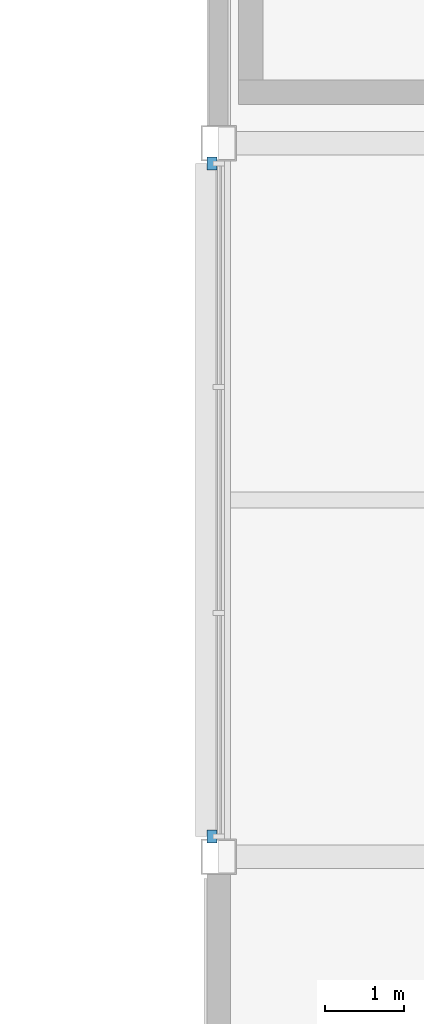
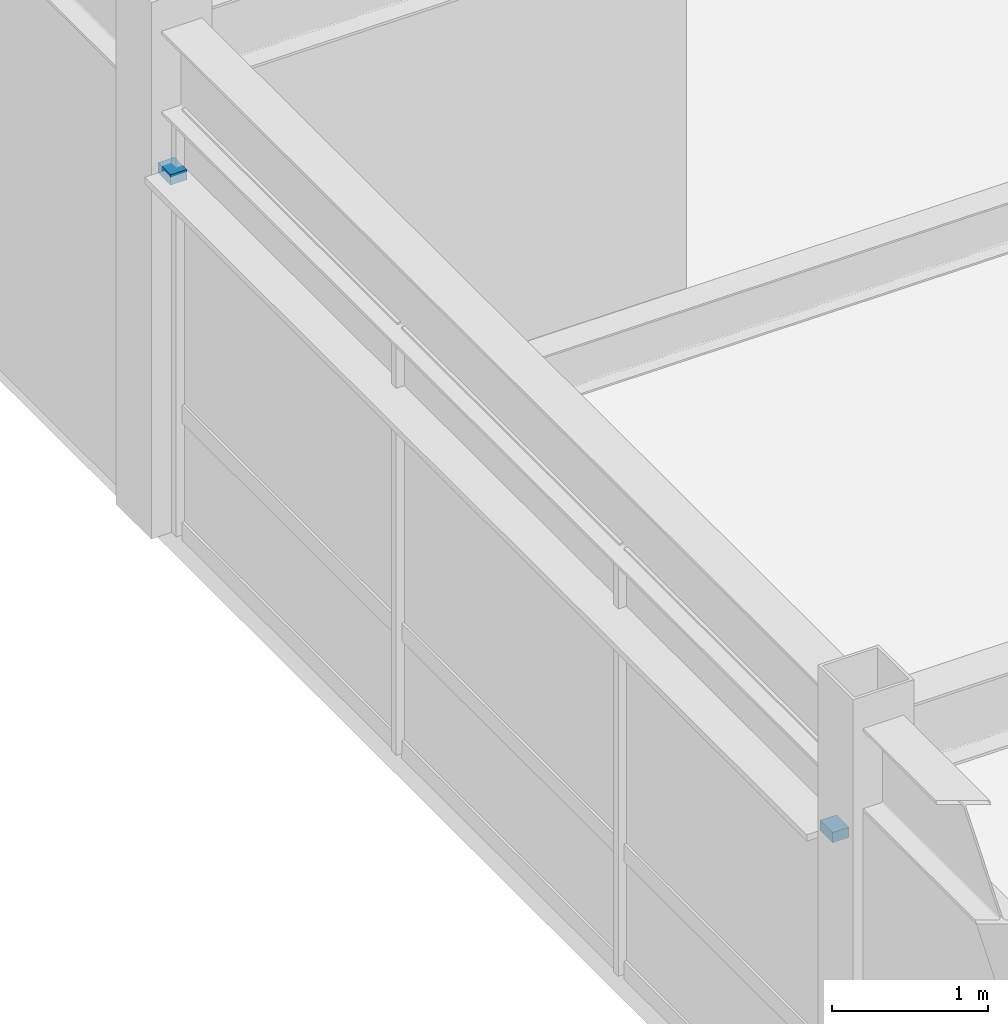
# One storey, part 92 of 108: 2 discrete accessories.
"""IFC4 building model written with IfcOpenShell, lengths in metres."""

import ifcopenshell
import ifcopenshell.guid

model = None  # the IFC model being written
_history = None  # IfcOwnerHistory: only IFC2X3 demands one
_inside = {}  # id of a spatial element -> (the spatial element, [elements in it])
_under = {}  # id of a project, library or spatial element -> (it, [spatial elements below it])
_declared = {}  # id of a project -> (the project, [libraries it declares])
_typed = {}  # id of a type object -> (the type object, [elements of that type])
_made_of = {}  # id of a material, layer set ... -> (it, [elements and type objects made of it])


def new_model(schema):
    """Start an empty IFC model of exactly this schema.

    Asked for "IFC4X3", IfcOpenShell would pick the latest addendum, in which some entities
    have other attributes; the version numbers below select the first issue.
    IFC2X3 requires an IfcOwnerHistory on every rooted entity: one is made here for all.
    """
    global model, _history
    if schema == "IFC4X3":
        model = ifcopenshell.file(schema_version=(4, 3, 0, 0))
    else:
        model = ifcopenshell.file(schema=schema)
    _inside.clear()
    _under.clear()
    _declared.clear()
    _typed.clear()
    _made_of.clear()
    _history = None
    if model.schema == "IFC2X3":
        org = make("IfcOrganization", Name="unknown")
        user = make(
            "IfcPersonAndOrganization",
            ThePerson=make("IfcPerson", FamilyName="unknown"),
            TheOrganization=org,
        )
        app = make(
            "IfcApplication",
            ApplicationDeveloper=org,
            Version="unknown",
            ApplicationFullName="unknown",
            ApplicationIdentifier="unknown",
        )
        _history = make(
            "IfcOwnerHistory",
            OwningUser=user,
            OwningApplication=app,
            ChangeAction="ADDED",
            CreationDate=0,
        )
    return model


def make(cls, **values):
    """One entity of the class cls with the attributes given. An attribute that is None is left unset."""
    return model.create_entity(
        cls, **{name: value for name, value in values.items() if value is not None}
    )


def rooted(cls, **values):
    """An entity with a GlobalId (a new one), such as an element, a storey or a relation."""
    return make(cls, GlobalId=ifcopenshell.guid.new(), OwnerHistory=_history, **values)


def si_unit(unit_type, name, prefix=None):
    """IfcSIUnit, for example si_unit("LENGTHUNIT", "METRE", prefix="MILLI")."""
    return make("IfcSIUnit", UnitType=unit_type, Prefix=prefix, Name=name)


def assignment(units):
    """IfcUnitAssignment: the units of a project."""
    return None if units is None else make("IfcUnitAssignment", Units=units)


def point(xyz):
    """IfcCartesianPoint."""
    return None if xyz is None else make("IfcCartesianPoint", Coordinates=xyz)


def direction(xyz):
    """IfcDirection."""
    return None if xyz is None else make("IfcDirection", DirectionRatios=xyz)


def frame(location, z_axis=None, x_axis=None):
    """IfcAxis2Placement3D, a coordinate frame: its origin and axes. An axis left out is left unset."""
    return make(
        "IfcAxis2Placement3D",
        Location=point(location),
        Axis=direction(z_axis),
        RefDirection=direction(x_axis),
    )


def frame_2d(location, x_axis=None):
    """IfcAxis2Placement2D, a coordinate frame in the plane: its origin and x axis."""
    return make(
        "IfcAxis2Placement2D", Location=point(location), RefDirection=direction(x_axis)
    )


def origin():
    """The frame at (0, 0, 0) with its axes left unset."""
    return frame((0.0, 0.0, 0.0))


def origin_2d():
    """The frame at (0, 0) in the plane with its x axis left unset."""
    return frame_2d((0.0, 0.0))


def place(relative_to, where):
    """IfcLocalPlacement: puts the frame where relative to a parent placement (None: the world)."""
    return make(
        "IfcLocalPlacement", PlacementRelTo=relative_to, RelativePlacement=where
    )


def context(
    kind, dimensions, precision=None, world=None, true_north=None, identifier=None
):
    """IfcGeometricRepresentationContext, for example the 3D "Model" context."""
    return make(
        "IfcGeometricRepresentationContext",
        ContextIdentifier=identifier,
        ContextType=kind,
        CoordinateSpaceDimension=dimensions,
        Precision=precision,
        WorldCoordinateSystem=world,
        TrueNorth=true_north,
    )


def subcontext(parent, identifier, kind, view, scale=None):
    """IfcGeometricRepresentationSubContext, for example "Body" below "Model"."""
    return make(
        "IfcGeometricRepresentationSubContext",
        ContextIdentifier=identifier,
        ContextType=kind,
        ParentContext=parent,
        TargetScale=scale,
        TargetView=view,
    )


def project(units=None, contexts=None):
    """IfcProject with its units and contexts."""
    return rooted(
        "IfcProject",
        Name="project",
        RepresentationContexts=contexts,
        UnitsInContext=assignment(units),
    )


def spatial(cls, under=None, at=None, **own):
    """A site, building, storey or space (cls), placed at a placement, below another one or the project."""
    s = rooted(cls, ObjectPlacement=at, **own)
    if under is not None:
        _under.setdefault(under.id(), (under, []))[1].append(s)
    return s


def profile(cls, at=None, kind="AREA", **sizes):
    """A parametric profile (cls). Its sizes go by their IFC names, for example OverallWidth=200.0."""
    return make(cls, ProfileType=kind, Position=at, **sizes)


def rectangle(**sizes):
    """IfcRectangleProfileDef."""
    return profile("IfcRectangleProfileDef", **sizes)


def extrude(swept, where, along, depth):
    """IfcExtrudedAreaSolid: the profile swept, set in the frame where, extruded along a direction by depth."""
    return make(
        "IfcExtrudedAreaSolid",
        SweptArea=swept,
        Position=where,
        ExtrudedDirection=direction(along),
        Depth=depth,
    )


def shape(context_of_items, identifier, shape_type, items):
    """IfcShapeRepresentation: the items that make up one representation, for example the "Body"."""
    return make(
        "IfcShapeRepresentation",
        ContextOfItems=context_of_items,
        RepresentationIdentifier=identifier,
        RepresentationType=shape_type,
        Items=items,
    )


def material(Name=None, Category=None):
    """IfcMaterial."""
    return make("IfcMaterial", Name=Name, Category=Category)


def made_of(thing, what):
    """Note that an element or type object is made of a material, layer set ...; save() writes the relation."""
    if what is not None:
        _made_of.setdefault(what.id(), (what, []))[1].append(thing)
    return thing


def type_object(cls, material=None, **own):
    """A type object (cls), such as IfcWallType, which elements share."""
    return made_of(rooted(cls, **own), material)


def element(
    cls,
    number,
    at=None,
    inside=None,
    cuts=None,
    type_object=None,
    material=None,
    context=None,
    identifier="Body",
    shape_type=None,
    held_by="IfcProductDefinitionShape",
    body=None,
    shapes=None,
    **own,
):
    """One element of the class cls, such as IfcWall. Its Tag is "e" and its number.

    at: its placement. inside: the storey or other place that contains it. cuts: it is an
    opening in that element (IfcRelVoidsElement). A single representation is given by context,
    identifier, shape_type and body (its items); several are given by shapes. held_by: the class
    of the entity that holds the representations. save() writes the other relations.
    """
    e = rooted(cls, Tag="e%d" % number, ObjectPlacement=at, **own)
    if body is not None:
        shapes = [shape(context, identifier, shape_type, body)]
    if shapes is not None:
        e.Representation = make(held_by, Representations=shapes)
    if inside is not None:
        _inside.setdefault(inside.id(), (inside, []))[1].append(e)
    if cuts is not None:
        rooted(
            "IfcRelVoidsElement", RelatingBuildingElement=cuts, RelatedOpeningElement=e
        )
    if type_object is not None:
        _typed.setdefault(type_object.id(), (type_object, []))[1].append(e)
    return made_of(e, material)


def aggregate(whole, parts):
    """IfcRelAggregates: a whole, such as a stair, and the parts it consists of."""
    return rooted("IfcRelAggregates", RelatingObject=whole, RelatedObjects=parts)


def save(model, path):
    """Write the relations noted so far, then the file.

    IfcRelAggregates (storeys below a building ...), IfcRelContainedInSpatialStructure (elements
    in a storey), IfcRelDefinesByType, IfcRelAssociatesMaterial and IfcRelDeclares: one each for
    every whole, place, type object, material and project.
    """
    for whole, parts in _under.values():
        aggregate(whole, parts)
    for where, things in _inside.values():
        rooted(
            "IfcRelContainedInSpatialStructure",
            RelatedElements=things,
            RelatingStructure=where,
        )
    for kind, things in _typed.values():
        rooted("IfcRelDefinesByType", RelatedObjects=things, RelatingType=kind)
    for what, things in _made_of.values():
        rooted("IfcRelAssociatesMaterial", RelatedObjects=things, RelatingMaterial=what)
    for by, libraries in _declared.values():
        rooted("IfcRelDeclares", RelatingContext=by, RelatedDefinitions=libraries)
    model.write(path)


model = new_model("IFC4")

# Units and contexts
model_context = context("Model", 3, precision=1e-05, world=origin(), true_north=direction((0.0, 1.0)))
body_context = subcontext(model_context, "Body", "Model", "MODEL_VIEW")
ifc_project = project(units=[si_unit("LENGTHUNIT", "METRE"), si_unit("AREAUNIT", "SQUARE_METRE"), si_unit("VOLUMEUNIT", "CUBIC_METRE"), si_unit("PLANEANGLEUNIT", "RADIAN"), si_unit("MASSUNIT", "GRAM", prefix="KILO")], contexts=[model_context])

# Site, building, storey
site_placement = place(None, origin())
site = spatial("IfcSite", under=ifc_project, at=site_placement, CompositionType="ELEMENT")
building_placement = place(site_placement, origin())
building = spatial("IfcBuilding", under=site, at=building_placement, Name="Suzunagisa Mobility Hub", CompositionType="ELEMENT")
storey_placement = place(building_placement, frame((0.0, 0.0, 9.300048828125)))
storey = spatial("IfcBuildingStorey", under=building, at=storey_placement, Name="L02", CompositionType="ELEMENT", Elevation=9.300048828125)

# Discrete accessories
ifc_material = material(Name="Stainless Steel SUS316", Category="metal")
discrete_accessory_type = type_object("IfcDiscreteAccessoryType", Name="Stainless Sunshade Outrigger Bracket BRK-01", PredefinedType="BRACKET", material=ifc_material)
for number, where, z_axis, x_axis, name in (
    (1, (143.9150390625, 88.7451171875, 2.809814453125), (0.0, 0.0, 1.0), (0.0, -1.0, 0.0), "Sunshade Outrigger Bracket BRK-44.1"),
    (2, (143.9150390625, 80.2548828125, 2.809814453125), (0.0, 0.0, 1.0), (0.0, -1.0, 0.0), "Sunshade Outrigger Bracket BRK-44.2"),
):
    element("IfcDiscreteAccessory", number, at=place(storey_placement, frame(where, z_axis=z_axis, x_axis=x_axis)), inside=storey, type_object=discrete_accessory_type, Name=name, PredefinedType="BRACKET", context=body_context, shape_type="SweptSolid", body=[
        extrude(rectangle(XDim=0.159912109375, YDim=0.1201171875, at=origin_2d()), origin(), (0.0, 0.0, 1.0), 0.080078125),
    ])

save(model, "model.ifc")
